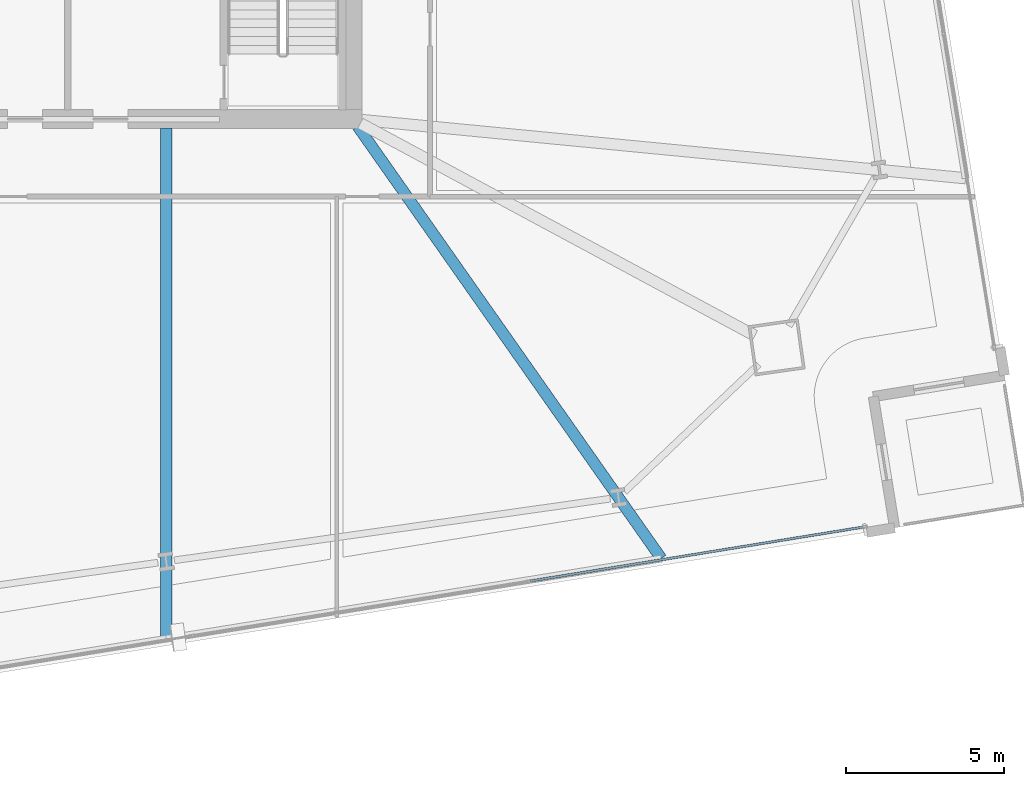
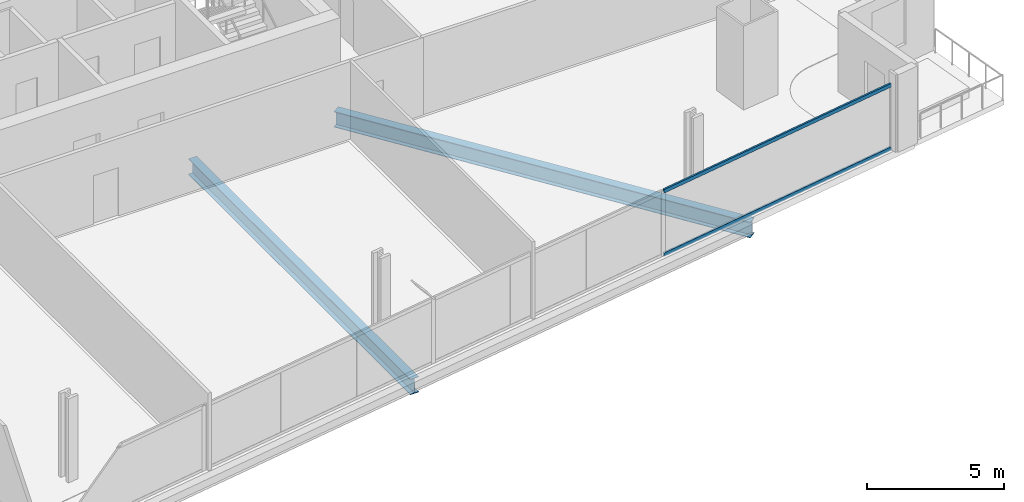
# One storey, part 10 of 33: 2 beams, 2 members, 1 element without a shape of its own.
"""IFC4 building model written with IfcOpenShell, lengths in metres."""

from ifc_helpers import new_model, si_unit, direction, frame, origin, origin_2d, place, context, subcontext, project, spatial, hollow_rectangle, i_section, extrude, material, material_profile, profile_set, type_object, element, aggregate, save


model = new_model("IFC4")

# Units and contexts
model_context = context("Model", 3, precision=1e-05, world=origin(), true_north=direction((0.0, 1.0)))
body_context = subcontext(model_context, "Body", "Model", "MODEL_VIEW")
ifc_project = project(units=[si_unit("LENGTHUNIT", "METRE"), si_unit("AREAUNIT", "SQUARE_METRE"), si_unit("VOLUMEUNIT", "CUBIC_METRE"), si_unit("PLANEANGLEUNIT", "RADIAN"), si_unit("MASSUNIT", "GRAM", prefix="KILO")], contexts=[model_context])

# Site, building, storey
site_placement = place(None, origin())
site = spatial("IfcSite", under=ifc_project, at=site_placement, CompositionType="ELEMENT")
building_placement = place(site_placement, origin())
building = spatial("IfcBuilding", under=site, at=building_placement, Name="Haldenkirk Collegiate Tower", CompositionType="ELEMENT")
storey_placement = place(building_placement, frame((0.0, 0.0, 58.949951171875)))
storey = spatial("IfcBuildingStorey", under=building, at=storey_placement, Name="L13", CompositionType="ELEMENT", Elevation=58.949951171875)

# Beams
ifc_material_1 = material(Name="Steel ASTM A992 Grade 50", Category="steel")
ifc_material_profile_1 = material_profile(ifc_material_1, i_section(OverallWidth=0.35498046875, OverallDepth=0.696044921875, WebThickness=0.015380859375, FlangeThickness=0.02490234375, at=origin_2d()), Name="W27X146")
ifc_profile_set_1 = profile_set([ifc_material_profile_1], Name="Steel ASTM A992 Grade 50")
beam_type = type_object("IfcBeamType", Name="BM-GIRDER-W27X146", PredefinedType="BEAM", material=ifc_profile_set_1)
beam_1_placement = place(storey_placement, frame((39.10888671875, 1.577880859375, -0.657958984375), z_axis=(0.0, 1.0, 0.0), x_axis=(-1.0, 0.0, 0.0)))
element("IfcBeam", 1, at=beam_1_placement, inside=storey, type_object=beam_type, Name="L13 primary floor girder 06", PredefinedType="BEAM", context=body_context, shape_type="SweptSolid", body=[
    extrude(i_section(OverallWidth=0.35498046875, OverallDepth=0.696044921875, WebThickness=0.015380859375, FlangeThickness=0.02490234375, at=origin_2d()), origin(), (0.0, 0.0, 1.0), 16.14208984375),
])
beam_2_placement = place(storey_placement, frame((54.757080078125, 4.1123046875, -0.657958984375), z_axis=(-0.574873008773, 0.818242643587, 0.0), x_axis=(-0.818242643587, -0.574873008773, 0.0)))
element("IfcBeam", 2, at=beam_2_placement, inside=storey, type_object=beam_type, Name="L13 primary floor girder 07", PredefinedType="BEAM", context=body_context, shape_type="SweptSolid", body=[
    extrude(i_section(OverallWidth=0.35498046875, OverallDepth=0.696044921875, WebThickness=0.015380859375, FlangeThickness=0.02490234375, at=origin_2d()), origin(), (0.0, 0.0, 1.0), 16.692626953125),
])

# Curtain wall, members
ifc_material_2 = material(Name="Anodised architectural bronze aluminium", Category="aluminium")
curtain_wall_type = type_object("IfcCurtainWallType", Name="CW-SYS2-CONCAVE", PredefinedType="USERDEFINED", material=ifc_material_2)
curtain_wall_placement = place(storey_placement, origin())
curtain_wall = element("IfcCurtainWall", 3, at=curtain_wall_placement, inside=storey, type_object=curtain_wall_type, Name="L13 South concave recessed bronze-anodised curtain wall", ObjectType="UNITISED CURTAIN WALL", PredefinedType="USERDEFINED")
ifc_material_profile_2 = material_profile(ifc_material_2, hollow_rectangle(XDim=0.074951171875, YDim=0.159912109375, WallThickness=0.0048828125, at=origin_2d()), Name="CW-TRN-02")
ifc_profile_set_2 = profile_set([ifc_material_profile_2], Name="Anodised architectural bronze aluminium")
member_type = type_object("IfcMemberType", Name="CW-TRN-02", PredefinedType="USERDEFINED", material=ifc_profile_set_2)
member_1_placement = place(storey_placement, frame((61.13916015625, 5.10546875, 0.03759765625), z_axis=(-0.987138506714, -0.159867346768, 0.0), x_axis=(0.159867346768, -0.987138506714, 0.0)))
member_1 = element("IfcMember", 4, at=member_1_placement, type_object=member_type, Name="CW-02 transom 1.1", ObjectType="TRANSOM", PredefinedType="USERDEFINED", context=body_context, shape_type="SweptSolid", body=[
    extrude(hollow_rectangle(XDim=0.074951171875, YDim=0.159912109375, WallThickness=0.0048828125, at=origin_2d()), origin(), (0.0, 0.0, 1.0), 10.66259765625),
])
member_2_placement = place(storey_placement, frame((61.13916015625, 5.10546875, 2.853515625), z_axis=(-0.987138506714, -0.159867346768, 0.0), x_axis=(0.159867346768, -0.987138506714, 0.0)))
member_2 = element("IfcMember", 5, at=member_2_placement, type_object=member_type, Name="CW-02 transom 1.2", ObjectType="TRANSOM", PredefinedType="USERDEFINED", context=body_context, shape_type="SweptSolid", body=[
    extrude(hollow_rectangle(XDim=0.074951171875, YDim=0.159912109375, WallThickness=0.0048828125, at=origin_2d()), origin(), (0.0, 0.0, 1.0), 10.66259765625),
])
aggregate(curtain_wall, [member_1, member_2])

save(model, "model.ifc")
